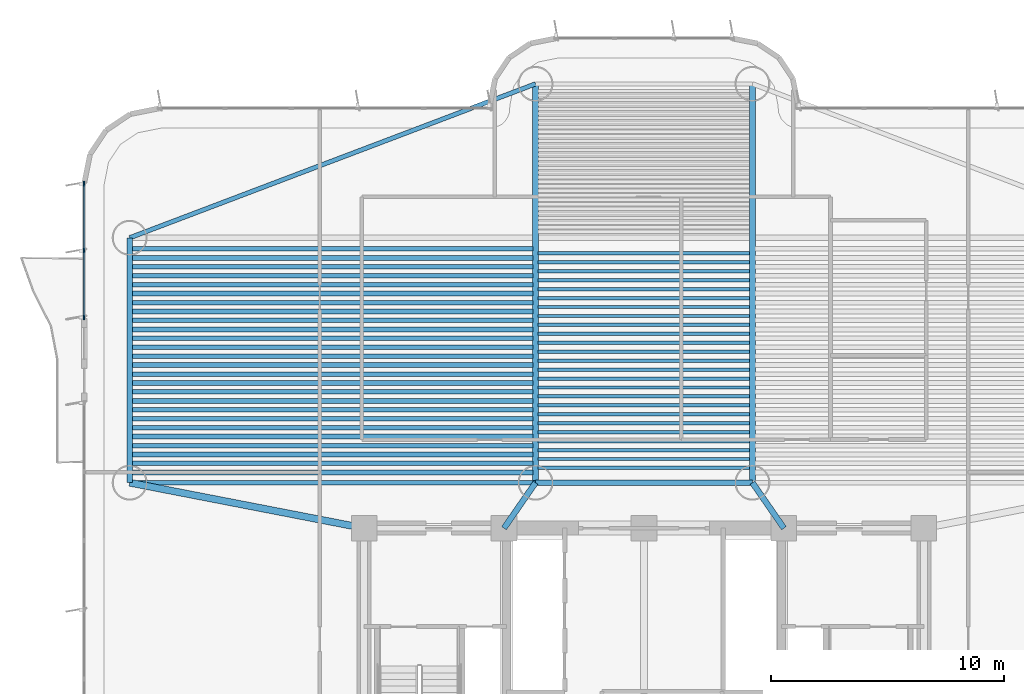
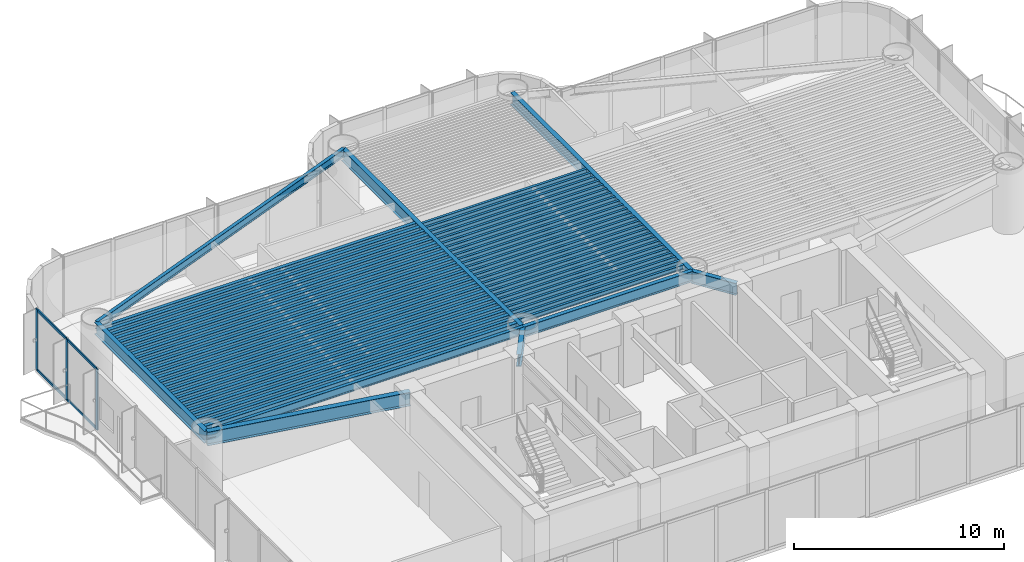
# One storey, part 3 of 16: 60 beams, 7 members, 1 element without a shape of its own.
"""IFC4 building model written with IfcOpenShell, lengths in metres."""

from ifc_helpers import new_model, si_unit, direction, frame, origin, origin_2d, place, context, subcontext, project, spatial, rectangle, i_section, extrude, source, transform, mapped, material, layer, layer_set, material_profile, profile_set, type_object, element, aggregate, save


model = new_model("IFC4")

# Units and contexts
model_context = context("Model", 3, precision=1e-05, world=origin(), true_north=direction((0.0, 1.0)))
body_context = subcontext(model_context, "Body", "Model", "MODEL_VIEW")
ifc_project = project(units=[si_unit("LENGTHUNIT", "METRE"), si_unit("AREAUNIT", "SQUARE_METRE"), si_unit("VOLUMEUNIT", "CUBIC_METRE"), si_unit("PLANEANGLEUNIT", "RADIAN"), si_unit("MASSUNIT", "GRAM", prefix="KILO")], contexts=[model_context])

# Site, building, storey
site_placement = place(None, origin())
site = spatial("IfcSite", under=ifc_project, at=site_placement, CompositionType="ELEMENT")
building_placement = place(site_placement, origin())
building = spatial("IfcBuilding", under=site, at=building_placement, Name="Brelvock Crest Care Tower", CompositionType="ELEMENT")
storey_placement = place(building_placement, frame((0.0, 0.0, 57.239990234375)))
storey = spatial("IfcBuildingStorey", under=building, at=storey_placement, Name="L14", CompositionType="ELEMENT", Elevation=57.239990234375)

# Beams
ifc_material_1 = material(Name="Steel Grade 350", Category="steel")
ifc_material_profile_1 = material_profile(ifc_material_1, i_section(OverallWidth=0.25, OverallDepth=0.699951171875, WebThickness=0.011962890625, FlangeThickness=0.02001953125, at=origin_2d()), Name="700WB150")
ifc_profile_set_1 = profile_set([ifc_material_profile_1], Name="Steel Grade 350")
beam_type_1 = type_object("IfcBeamType", Name="BM-G4", PredefinedType="BEAM", material=ifc_profile_set_1)
shared_shape_1 = source(origin(), body_context, "Body", "SweptSolid", [
    extrude(i_section(OverallWidth=0.25, OverallDepth=0.699951171875, WebThickness=0.011962890625, FlangeThickness=0.02001953125, at=origin_2d()), origin(), (0.0, 0.0, 1.0), 10.5),
])
beam_1_placement = place(storey_placement, frame((13.949951171875, 19.949951171875, 3.179931640625), z_axis=(0.0, 1.0, 0.0), x_axis=(-1.0, 0.0, 0.0)))
element("IfcBeam", 1, at=beam_1_placement, inside=storey, type_object=beam_type_1, Name="BM-TWR-L14-01", PredefinedType="BEAM", context=body_context, shape_type="MappedRepresentation", body=[
    mapped(shared_shape_1, transform((0.0, 0.0, 0.0), x_axis=(1.0, 0.0, 0.0), y_axis=(0.0, 1.0, 0.0), z_axis=(0.0, 0.0, 1.0), scale=1.0)),
])
ifc_material_profile_2 = material_profile(ifc_material_1, i_section(OverallWidth=0.19091796875, OverallDepth=0.4599609375, WebThickness=0.010009765625, FlangeThickness=0.01611328125, FilletRadius=0.011474609375, at=origin_2d()), Name="460UB82.1")
ifc_profile_set_2 = profile_set([ifc_material_profile_2], Name="Steel Grade 350")
beam_type_2 = type_object("IfcBeamType", Name="BM-SP2", PredefinedType="SPANDREL", material=ifc_profile_set_2)
shared_shape_2 = source(origin(), body_context, "Body", "SweptSolid", [
    extrude(i_section(OverallWidth=0.19091796875, OverallDepth=0.4599609375, WebThickness=0.010009765625, FlangeThickness=0.01611328125, FilletRadius=0.011474609375, at=origin_2d()), origin(), (0.0, 0.0, 1.0), 17.400146484375),
])
beam_2_placement = place(storey_placement, frame((13.949951171875, 19.949951171875, 3.300048828125), z_axis=(1.0, 0.0, 0.0), x_axis=(0.0, 1.0, 0.0)))
element("IfcBeam", 2, at=beam_2_placement, inside=storey, type_object=beam_type_2, Name="BM-TWR-L14-03", PredefinedType="SPANDREL", context=body_context, shape_type="MappedRepresentation", body=[
    mapped(shared_shape_2, transform((0.0, 0.0, 0.0), x_axis=(1.0, 0.0, 0.0), y_axis=(0.0, 1.0, 0.0), z_axis=(0.0, 0.0, 1.0), scale=1.0)),
])
ifc_material_profile_3 = material_profile(ifc_material_1, i_section(OverallWidth=0.22900390625, OverallDepth=0.612060546875, WebThickness=0.011962890625, FlangeThickness=0.01953125, FilletRadius=0.013916015625, at=origin_2d()), Name="610UB125")
ifc_profile_set_3 = profile_set([ifc_material_profile_3], Name="Steel Grade 350")
beam_type_3 = type_object("IfcBeamType", Name="BM-G1", PredefinedType="BEAM", material=ifc_profile_set_3)
shared_shape_3 = source(origin(), body_context, "Body", "SweptSolid", [
    extrude(i_section(OverallWidth=0.22900390625, OverallDepth=0.612060546875, WebThickness=0.011962890625, FlangeThickness=0.01953125, FilletRadius=0.013916015625, at=origin_2d()), origin(), (0.0, 0.0, 1.0), 9.2998046875),
])
beam_3_placement = place(storey_placement, frame((31.35009765625, 19.949951171875, 3.22412109375), z_axis=(1.0, 0.0, 0.0), x_axis=(0.0, 1.0, 0.0)))
element("IfcBeam", 3, at=beam_3_placement, inside=storey, type_object=beam_type_3, Name="BM-TWR-L14-05", PredefinedType="BEAM", context=body_context, shape_type="MappedRepresentation", body=[
    mapped(shared_shape_3, transform((0.0, 0.0, 0.0), x_axis=(1.0, 0.0, 0.0), y_axis=(0.0, 1.0, 0.0), z_axis=(0.0, 0.0, 1.0), scale=1.0)),
])
shared_shape_4 = source(origin(), body_context, "Body", "SweptSolid", [
    extrude(i_section(OverallWidth=0.19091796875, OverallDepth=0.4599609375, WebThickness=0.010009765625, FlangeThickness=0.01611328125, FilletRadius=0.011474609375, at=origin_2d()), origin(), (0.0, 0.0, 1.0), 18.60986328125),
])
beam_4_placement = place(storey_placement, frame((13.949951171875, 30.449951171875, 3.300048828125), z_axis=(0.934996776275, 0.3546562115, 0.0), x_axis=(-0.3546562115, 0.934996776275, 0.0)))
element("IfcBeam", 4, at=beam_4_placement, inside=storey, type_object=beam_type_2, Name="BM-TWR-L14-06", PredefinedType="SPANDREL", context=body_context, shape_type="MappedRepresentation", body=[
    mapped(shared_shape_4, transform((0.0, 0.0, 0.0), x_axis=(1.0, 0.0, 0.0), y_axis=(0.0, 1.0, 0.0), z_axis=(0.0, 0.0, 1.0), scale=1.0)),
])
shared_shape_5 = source(origin(), body_context, "Body", "SweptSolid", [
    extrude(i_section(OverallWidth=0.25, OverallDepth=0.699951171875, WebThickness=0.011962890625, FlangeThickness=0.02001953125, at=origin_2d()), origin(), (0.0, 0.0, 1.0), 17.10009765625),
])
for number, where, z_axis, x_axis, name in (
    (5, (31.35009765625, 19.949951171875, 3.179931640625), (0.0, 1.0, 0.0), (-1.0, 0.0, 0.0), "BM-TWR-L14-09"),
    (6, (40.64990234375, 19.949951171875, 3.179931640625), (0.0, 1.0, 0.0), (-1.0, 0.0, 0.0), "BM-TWR-L14-10"),
):
    element("IfcBeam", number, at=place(storey_placement, frame(where, z_axis=z_axis, x_axis=x_axis)), inside=storey, type_object=beam_type_1, Name=name, PredefinedType="BEAM", context=body_context, shape_type="MappedRepresentation", body=[
        mapped(shared_shape_5, transform((0.0, 0.0, 0.0), x_axis=(1.0, 0.0, 0.0), y_axis=(0.0, 1.0, 0.0), z_axis=(0.0, 0.0, 1.0), scale=1.0)),
    ])
shared_shape_6 = source(origin(), body_context, "Body", "SweptSolid", [
    extrude(i_section(OverallWidth=0.25, OverallDepth=0.699951171875, WebThickness=0.011962890625, FlangeThickness=0.02001953125, at=origin_2d()), origin(), (0.0, 0.0, 1.0), 2.371826171875),
])
for number, where, z_axis, x_axis, name in (
    (7, (30.0, 18.0, 3.179931640625), (0.569247447691, 0.8221662504, 0.0), (-0.8221662504, 0.569247447691, 0.0), "BM-THRW-L14"),
    (8, (42.0, 18.0, 3.179931640625), (-0.569247447691, 0.8221662504, 0.0), (-0.8221662504, -0.569247447691, 0.0), "BM-THRE-L14"),
):
    element("IfcBeam", number, at=place(storey_placement, frame(where, z_axis=z_axis, x_axis=x_axis)), inside=storey, type_object=beam_type_1, Name=name, PredefinedType="BEAM", context=body_context, shape_type="MappedRepresentation", body=[
        mapped(shared_shape_6, transform((0.0, 0.0, 0.0), x_axis=(1.0, 0.0, 0.0), y_axis=(0.0, 1.0, 0.0), z_axis=(0.0, 0.0, 1.0), scale=1.0)),
    ])
ifc_material_profile_4 = material_profile(ifc_material_1, i_section(OverallWidth=0.300048828125, OverallDepth=0.800048828125, WebThickness=0.013916015625, FlangeThickness=0.02197265625, at=origin_2d()), Name="800WB192")
ifc_profile_set_4 = profile_set([ifc_material_profile_4], Name="Steel Grade 350")
beam_type_4 = type_object("IfcBeamType", Name="BM-G5", PredefinedType="BEAM", material=ifc_profile_set_4)
shared_shape_7 = source(origin(), body_context, "Body", "SweptSolid", [
    extrude(i_section(OverallWidth=0.300048828125, OverallDepth=0.800048828125, WebThickness=0.013916015625, FlangeThickness=0.02197265625, at=origin_2d()), origin(), (0.0, 0.0, 1.0), 10.237548828125),
])
beam_5_placement = place(storey_placement, frame((24.0, 18.0, 3.130126953125), z_axis=(-0.981692632568, 0.190471979991, 0.0), x_axis=(-0.190471979991, -0.981692632568, 0.0)))
element("IfcBeam", 9, at=beam_5_placement, inside=storey, type_object=beam_type_4, Name="BM-THRO-W-L14", PredefinedType="BEAM", context=body_context, shape_type="MappedRepresentation", body=[
    mapped(shared_shape_7, transform((0.0, 0.0, 0.0), x_axis=(1.0, 0.0, 0.0), y_axis=(0.0, 1.0, 0.0), z_axis=(0.0, 0.0, 1.0), scale=1.0)),
])
ifc_material_profile_5 = material_profile(ifc_material_1, i_section(OverallWidth=0.208984375, OverallDepth=0.532958984375, WebThickness=0.01025390625, FlangeThickness=0.015625, FilletRadius=0.013916015625, at=origin_2d()), Name="530UB92.4")
ifc_profile_set_5 = profile_set([ifc_material_profile_5], Name="Steel Grade 350")
beam_type_5 = type_object("IfcBeamType", Name="BM-G2", PredefinedType="BEAM", material=ifc_profile_set_5)
shared_shape_8 = source(origin(), body_context, "Body", "SweptSolid", [
    extrude(i_section(OverallWidth=0.208984375, OverallDepth=0.532958984375, WebThickness=0.01025390625, FlangeThickness=0.015625, FilletRadius=0.013916015625, at=origin_2d()), origin(), (0.0, 0.0, 1.0), 17.170166015625),
])
for number, where, z_axis, x_axis, name in (
    (10, (14.06494140625, 20.39111328125, 3.263427734375), (1.0, 0.0, 0.0), (0.0, 1.0, 0.0), "BM-JW-L14-1"),
    (11, (14.06494140625, 21.157470703125, 3.263427734375), (1.0, 0.0, 0.0), (0.0, 1.0, 0.0), "BM-JW-L14-3"),
    (12, (14.06494140625, 21.924072265625, 3.263427734375), (1.0, 0.0, 0.0), (0.0, 1.0, 0.0), "BM-JW-L14-5"),
    (13, (14.06494140625, 22.6904296875, 3.263427734375), (1.0, 0.0, 0.0), (0.0, 1.0, 0.0), "BM-JW-L14-7"),
    (14, (14.06494140625, 23.45703125, 3.263427734375), (1.0, 0.0, 0.0), (0.0, 1.0, 0.0), "BM-JW-L14-9"),
    (15, (14.06494140625, 24.223388671875, 3.263427734375), (1.0, 0.0, 0.0), (0.0, 1.0, 0.0), "BM-JW-L14-11"),
    (16, (14.06494140625, 24.989990234375, 3.263427734375), (1.0, 0.0, 0.0), (0.0, 1.0, 0.0), "BM-JW-L14-13"),
    (17, (14.06494140625, 25.756591796875, 3.263427734375), (1.0, 0.0, 0.0), (0.0, 1.0, 0.0), "BM-JW-L14-15"),
    (18, (14.06494140625, 26.52294921875, 3.263427734375), (1.0, 0.0, 0.0), (0.0, 1.0, 0.0), "BM-JW-L14-17"),
    (19, (14.06494140625, 27.28955078125, 3.263427734375), (1.0, 0.0, 0.0), (0.0, 1.0, 0.0), "BM-JW-L14-19"),
    (20, (14.06494140625, 28.055908203125, 3.263427734375), (1.0, 0.0, 0.0), (0.0, 1.0, 0.0), "BM-JW-L14-21"),
    (21, (14.06494140625, 28.822509765625, 3.263427734375), (1.0, 0.0, 0.0), (0.0, 1.0, 0.0), "BM-JW-L14-23"),
    (22, (14.06494140625, 29.589111328125, 3.263427734375), (1.0, 0.0, 0.0), (0.0, 1.0, 0.0), "BM-JW-L14-25"),
):
    element("IfcBeam", number, at=place(storey_placement, frame(where, z_axis=z_axis, x_axis=x_axis)), inside=storey, type_object=beam_type_5, Name=name, PredefinedType="BEAM", context=body_context, shape_type="MappedRepresentation", body=[
        mapped(shared_shape_8, transform((0.0, 0.0, 0.0), x_axis=(1.0, 0.0, 0.0), y_axis=(0.0, 1.0, 0.0), z_axis=(0.0, 0.0, 1.0), scale=1.0)),
    ])
ifc_material_profile_6 = material_profile(ifc_material_1, i_section(OverallWidth=0.14599609375, OverallDepth=0.256103515625, WebThickness=0.00634765625, FlangeThickness=0.010986328125, FilletRadius=0.0087890625, at=origin_2d()), Name="250UB37.3")
ifc_profile_set_6 = profile_set([ifc_material_profile_6], Name="Steel Grade 350")
beam_type_6 = type_object("IfcBeamType", Name="BM-J3", PredefinedType="JOIST", material=ifc_profile_set_6)
shared_shape_9 = source(origin(), body_context, "Body", "SweptSolid", [
    extrude(i_section(OverallWidth=0.14599609375, OverallDepth=0.256103515625, WebThickness=0.00634765625, FlangeThickness=0.010986328125, FilletRadius=0.0087890625, at=origin_2d()), origin(), (0.0, 0.0, 1.0), 9.06982421875),
])
for number, where, z_axis, x_axis, name in (
    (23, (31.465087890625, 20.58251953125, 3.402099609375), (1.0, 0.0, 0.0), (0.0, 1.0, 0.0), "BM-JH-L14-1"),
    (24, (31.465087890625, 20.9658203125, 3.402099609375), (1.0, 0.0, 0.0), (0.0, 1.0, 0.0), "BM-JH-L14-2"),
    (25, (31.465087890625, 21.34912109375, 3.402099609375), (1.0, 0.0, 0.0), (0.0, 1.0, 0.0), "BM-JH-L14-3"),
    (26, (31.465087890625, 21.732421875, 3.402099609375), (1.0, 0.0, 0.0), (0.0, 1.0, 0.0), "BM-JH-L14-4"),
    (27, (31.465087890625, 22.115478515625, 3.402099609375), (1.0, 0.0, 0.0), (0.0, 1.0, 0.0), "BM-JH-L14-5"),
    (28, (31.465087890625, 22.498779296875, 3.402099609375), (1.0, 0.0, 0.0), (0.0, 1.0, 0.0), "BM-JH-L14-6"),
    (29, (31.465087890625, 22.882080078125, 3.402099609375), (1.0, 0.0, 0.0), (0.0, 1.0, 0.0), "BM-JH-L14-7"),
    (30, (31.465087890625, 23.265380859375, 3.402099609375), (1.0, 0.0, 0.0), (0.0, 1.0, 0.0), "BM-JH-L14-8"),
    (31, (31.465087890625, 23.648681640625, 3.402099609375), (1.0, 0.0, 0.0), (0.0, 1.0, 0.0), "BM-JH-L14-9"),
    (32, (31.465087890625, 24.03173828125, 3.402099609375), (1.0, 0.0, 0.0), (0.0, 1.0, 0.0), "BM-JH-L14-10"),
    (33, (31.465087890625, 24.4150390625, 3.402099609375), (1.0, 0.0, 0.0), (0.0, 1.0, 0.0), "BM-JH-L14-11"),
    (34, (31.465087890625, 24.79833984375, 3.402099609375), (1.0, 0.0, 0.0), (0.0, 1.0, 0.0), "BM-JH-L14-12"),
    (35, (31.465087890625, 25.181640625, 3.402099609375), (1.0, 0.0, 0.0), (0.0, 1.0, 0.0), "BM-JH-L14-13"),
    (36, (31.465087890625, 25.564697265625, 3.402099609375), (1.0, 0.0, 0.0), (0.0, 1.0, 0.0), "BM-JH-L14-14"),
    (37, (31.465087890625, 25.947998046875, 3.402099609375), (1.0, 0.0, 0.0), (0.0, 1.0, 0.0), "BM-JH-L14-15"),
    (38, (31.465087890625, 26.331298828125, 3.402099609375), (1.0, 0.0, 0.0), (0.0, 1.0, 0.0), "BM-JH-L14-16"),
    (39, (31.465087890625, 26.714599609375, 3.402099609375), (1.0, 0.0, 0.0), (0.0, 1.0, 0.0), "BM-JH-L14-17"),
    (40, (31.465087890625, 27.097900390625, 3.402099609375), (1.0, 0.0, 0.0), (0.0, 1.0, 0.0), "BM-JH-L14-18"),
    (41, (31.465087890625, 27.481201171875, 3.402099609375), (1.0, 0.0, 0.0), (0.0, 1.0, 0.0), "BM-JH-L14-19"),
    (42, (31.465087890625, 27.864501953125, 3.402099609375), (1.0, 0.0, 0.0), (0.0, 1.0, 0.0), "BM-JH-L14-20"),
    (43, (31.465087890625, 28.24755859375, 3.402099609375), (1.0, 0.0, 0.0), (0.0, 1.0, 0.0), "BM-JH-L14-21"),
    (44, (31.465087890625, 28.630859375, 3.402099609375), (1.0, 0.0, 0.0), (0.0, 1.0, 0.0), "BM-JH-L14-22"),
    (45, (31.465087890625, 29.01416015625, 3.402099609375), (1.0, 0.0, 0.0), (0.0, 1.0, 0.0), "BM-JH-L14-23"),
    (46, (31.465087890625, 29.397216796875, 3.402099609375), (1.0, 0.0, 0.0), (0.0, 1.0, 0.0), "BM-JH-L14-24"),
    (47, (31.465087890625, 29.780517578125, 3.402099609375), (1.0, 0.0, 0.0), (0.0, 1.0, 0.0), "BM-JH-L14-25"),
):
    element("IfcBeam", number, at=place(storey_placement, frame(where, z_axis=z_axis, x_axis=x_axis)), inside=storey, type_object=beam_type_6, Name=name, PredefinedType="JOIST", context=body_context, shape_type="MappedRepresentation", body=[
        mapped(shared_shape_9, transform((0.0, 0.0, 0.0), x_axis=(1.0, 0.0, 0.0), y_axis=(0.0, 1.0, 0.0), z_axis=(0.0, 0.0, 1.0), scale=1.0)),
    ])
ifc_material_profile_7 = material_profile(ifc_material_1, i_section(OverallWidth=0.19091796875, OverallDepth=0.4599609375, WebThickness=0.010009765625, FlangeThickness=0.01611328125, FilletRadius=0.011474609375, at=origin_2d()), Name="460UB82.1")
ifc_profile_set_7 = profile_set([ifc_material_profile_7], Name="Steel Grade 350")
beam_type_7 = type_object("IfcBeamType", Name="BM-G3", PredefinedType="BEAM", material=ifc_profile_set_7)
shared_shape_10 = source(origin(), body_context, "Body", "SweptSolid", [
    extrude(i_section(OverallWidth=0.19091796875, OverallDepth=0.4599609375, WebThickness=0.010009765625, FlangeThickness=0.01611328125, FilletRadius=0.011474609375, at=origin_2d()), origin(), (0.0, 0.0, 1.0), 17.170166015625),
])
for number, where, z_axis, x_axis, name in (
    (48, (14.06494140625, 20.774169921875, 3.300048828125), (1.0, 0.0, 0.0), (0.0, 1.0, 0.0), "BM-JW-L14-2"),
    (49, (14.06494140625, 21.540771484375, 3.300048828125), (1.0, 0.0, 0.0), (0.0, 1.0, 0.0), "BM-JW-L14-4"),
    (50, (14.06494140625, 22.30712890625, 3.300048828125), (1.0, 0.0, 0.0), (0.0, 1.0, 0.0), "BM-JW-L14-6"),
    (51, (14.06494140625, 23.07373046875, 3.300048828125), (1.0, 0.0, 0.0), (0.0, 1.0, 0.0), "BM-JW-L14-8"),
    (52, (14.06494140625, 23.840087890625, 3.300048828125), (1.0, 0.0, 0.0), (0.0, 1.0, 0.0), "BM-JW-L14-10"),
    (53, (14.06494140625, 24.606689453125, 3.300048828125), (1.0, 0.0, 0.0), (0.0, 1.0, 0.0), "BM-JW-L14-12"),
    (54, (14.06494140625, 25.373291015625, 3.300048828125), (1.0, 0.0, 0.0), (0.0, 1.0, 0.0), "BM-JW-L14-14"),
    (55, (14.06494140625, 26.1396484375, 3.300048828125), (1.0, 0.0, 0.0), (0.0, 1.0, 0.0), "BM-JW-L14-16"),
    (56, (14.06494140625, 26.90625, 3.300048828125), (1.0, 0.0, 0.0), (0.0, 1.0, 0.0), "BM-JW-L14-18"),
    (57, (14.06494140625, 27.6728515625, 3.300048828125), (1.0, 0.0, 0.0), (0.0, 1.0, 0.0), "BM-JW-L14-20"),
    (58, (14.06494140625, 28.439208984375, 3.300048828125), (1.0, 0.0, 0.0), (0.0, 1.0, 0.0), "BM-JW-L14-22"),
    (59, (14.06494140625, 29.205810546875, 3.300048828125), (1.0, 0.0, 0.0), (0.0, 1.0, 0.0), "BM-JW-L14-24"),
    (60, (14.06494140625, 29.97216796875, 3.300048828125), (1.0, 0.0, 0.0), (0.0, 1.0, 0.0), "BM-JW-L14-26"),
):
    element("IfcBeam", number, at=place(storey_placement, frame(where, z_axis=z_axis, x_axis=x_axis)), inside=storey, type_object=beam_type_7, Name=name, PredefinedType="BEAM", context=body_context, shape_type="MappedRepresentation", body=[
        mapped(shared_shape_10, transform((0.0, 0.0, 0.0), x_axis=(1.0, 0.0, 0.0), y_axis=(0.0, 1.0, 0.0), z_axis=(0.0, 0.0, 1.0), scale=1.0)),
    ])

# Curtain wall, members
ifc_material_2 = material(Name="Dark Glass Double Glazed Low-E", Category="glass")
ifc_layer = layer(ifc_material_2, 0.195068359375, Name="CWS-2")
ifc_layer_set = layer_set([ifc_layer], Name="Dark Glass Double Glazed Low-E")
curtain_wall_type = type_object("IfcCurtainWallType", Name="CWS-2", PredefinedType="NOTDEFINED", material=ifc_layer_set)
curtain_wall_placement = place(storey_placement, origin())
curtain_wall = element("IfcCurtainWall", 61, at=curtain_wall_placement, inside=storey, type_object=curtain_wall_type, Name="L14 Curtain Wall E13B", PredefinedType="NOTDEFINED")
ifc_material_3 = material(Name="Aluminium 6063-T6", Category="aluminium")
ifc_material_profile_8 = material_profile(ifc_material_3, rectangle(XDim=0.06494140625, YDim=0.199951171875, at=origin_2d()), Name="ALU65x200")
ifc_profile_set_8 = profile_set([ifc_material_profile_8], Name="Aluminium 6063-T6")
member_type_1 = type_object("IfcMemberType", Name="CWM-1", PredefinedType="MULLION", material=ifc_profile_set_8)
shared_shape_11 = source(origin(), body_context, "Body", "SweptSolid", [
    extrude(rectangle(XDim=0.06494140625, YDim=0.199951171875, at=origin_2d()), origin(), (0.0, 0.0, 1.0), 3.530029296875),
])
member_1_placement = place(storey_placement, frame((12.0, 27.032470703125, 0.0), z_axis=(0.0, 0.0, 1.0), x_axis=(-1.0, 0.0, 0.0)))
member_1 = element("IfcMember", 62, at=member_1_placement, type_object=member_type_1, Name="CW-2 mullion 1", PredefinedType="MULLION", context=body_context, shape_type="MappedRepresentation", body=[
    mapped(shared_shape_11, transform((0.0, 0.0, 0.0), x_axis=(1.0, 0.0, 0.0), y_axis=(0.0, 1.0, 0.0), z_axis=(0.0, 0.0, 1.0), scale=1.0)),
])
member_2_placement = place(storey_placement, frame((12.0, 29.89990234375, 0.0), z_axis=(0.0, 0.0, 1.0), x_axis=(-1.0, 0.0, 0.0)))
member_2 = element("IfcMember", 63, at=member_2_placement, type_object=member_type_1, Name="CW-2 mullion 2", PredefinedType="MULLION", context=body_context, shape_type="MappedRepresentation", body=[
    mapped(shared_shape_11, transform((0.0, 0.0, 0.0), x_axis=(1.0, 0.0, 0.0), y_axis=(0.0, 1.0, 0.0), z_axis=(0.0, 0.0, 1.0), scale=1.0)),
])
member_3_placement = place(storey_placement, frame((12.0, 32.767578125, 0.0), z_axis=(0.0, 0.0, 1.0), x_axis=(-1.0, 0.0, 0.0)))
member_3 = element("IfcMember", 64, at=member_3_placement, type_object=member_type_1, Name="CW-2 mullion 3", PredefinedType="MULLION", context=body_context, shape_type="MappedRepresentation", body=[
    mapped(shared_shape_11, transform((0.0, 0.0, 0.0), x_axis=(1.0, 0.0, 0.0), y_axis=(0.0, 1.0, 0.0), z_axis=(0.0, 0.0, 1.0), scale=1.0)),
])
ifc_material_profile_9 = material_profile(ifc_material_3, rectangle(XDim=0.06494140625, YDim=0.14990234375, at=origin_2d()), Name="ALU65x150")
ifc_profile_set_9 = profile_set([ifc_material_profile_9], Name="Aluminium 6063-T6")
member_type_2 = type_object("IfcMemberType", Name="CWT-1", PredefinedType="USERDEFINED", material=ifc_profile_set_9)
shared_shape_12 = source(origin(), body_context, "Body", "SweptSolid", [
    extrude(rectangle(XDim=0.06494140625, YDim=0.14990234375, at=origin_2d()), origin(), (0.0, 0.0, 1.0), 2.802490234375),
])
member_4_placement = place(storey_placement, frame((12.0, 27.06494140625, 0.032470703125), z_axis=(0.0, 1.0, 0.0), x_axis=(-1.0, 0.0, 0.0)))
member_4 = element("IfcMember", 65, at=member_4_placement, type_object=member_type_2, Name="CW-2 transom 1.1", ObjectType="TRANSOM", PredefinedType="USERDEFINED", context=body_context, shape_type="MappedRepresentation", body=[
    mapped(shared_shape_12, transform((0.0, 0.0, 0.0), x_axis=(1.0, 0.0, 0.0), y_axis=(0.0, 1.0, 0.0), z_axis=(0.0, 0.0, 1.0), scale=1.0)),
])
member_5_placement = place(storey_placement, frame((12.0, 27.06494140625, 3.49755859375), z_axis=(0.0, 1.0, 0.0), x_axis=(-1.0, 0.0, 0.0)))
member_5 = element("IfcMember", 66, at=member_5_placement, type_object=member_type_2, Name="CW-2 transom 1.2", ObjectType="TRANSOM", PredefinedType="USERDEFINED", context=body_context, shape_type="MappedRepresentation", body=[
    mapped(shared_shape_12, transform((0.0, 0.0, 0.0), x_axis=(1.0, 0.0, 0.0), y_axis=(0.0, 1.0, 0.0), z_axis=(0.0, 0.0, 1.0), scale=1.0)),
])
member_6_placement = place(storey_placement, frame((12.0, 29.9326171875, 0.032470703125), z_axis=(0.0, 1.0, 0.0), x_axis=(-1.0, 0.0, 0.0)))
member_6 = element("IfcMember", 67, at=member_6_placement, type_object=member_type_2, Name="CW-2 transom 2.1", ObjectType="TRANSOM", PredefinedType="USERDEFINED", context=body_context, shape_type="MappedRepresentation", body=[
    mapped(shared_shape_12, transform((0.0, 0.0, 0.0), x_axis=(1.0, 0.0, 0.0), y_axis=(0.0, 1.0, 0.0), z_axis=(0.0, 0.0, 1.0), scale=1.0)),
])
member_7_placement = place(storey_placement, frame((12.0, 29.9326171875, 3.49755859375), z_axis=(0.0, 1.0, 0.0), x_axis=(-1.0, 0.0, 0.0)))
member_7 = element("IfcMember", 68, at=member_7_placement, type_object=member_type_2, Name="CW-2 transom 2.2", ObjectType="TRANSOM", PredefinedType="USERDEFINED", context=body_context, shape_type="MappedRepresentation", body=[
    mapped(shared_shape_12, transform((0.0, 0.0, 0.0), x_axis=(1.0, 0.0, 0.0), y_axis=(0.0, 1.0, 0.0), z_axis=(0.0, 0.0, 1.0), scale=1.0)),
])
aggregate(curtain_wall, [member_1, member_2, member_3, member_4, member_5, member_6, member_7])

save(model, "model.ifc")
